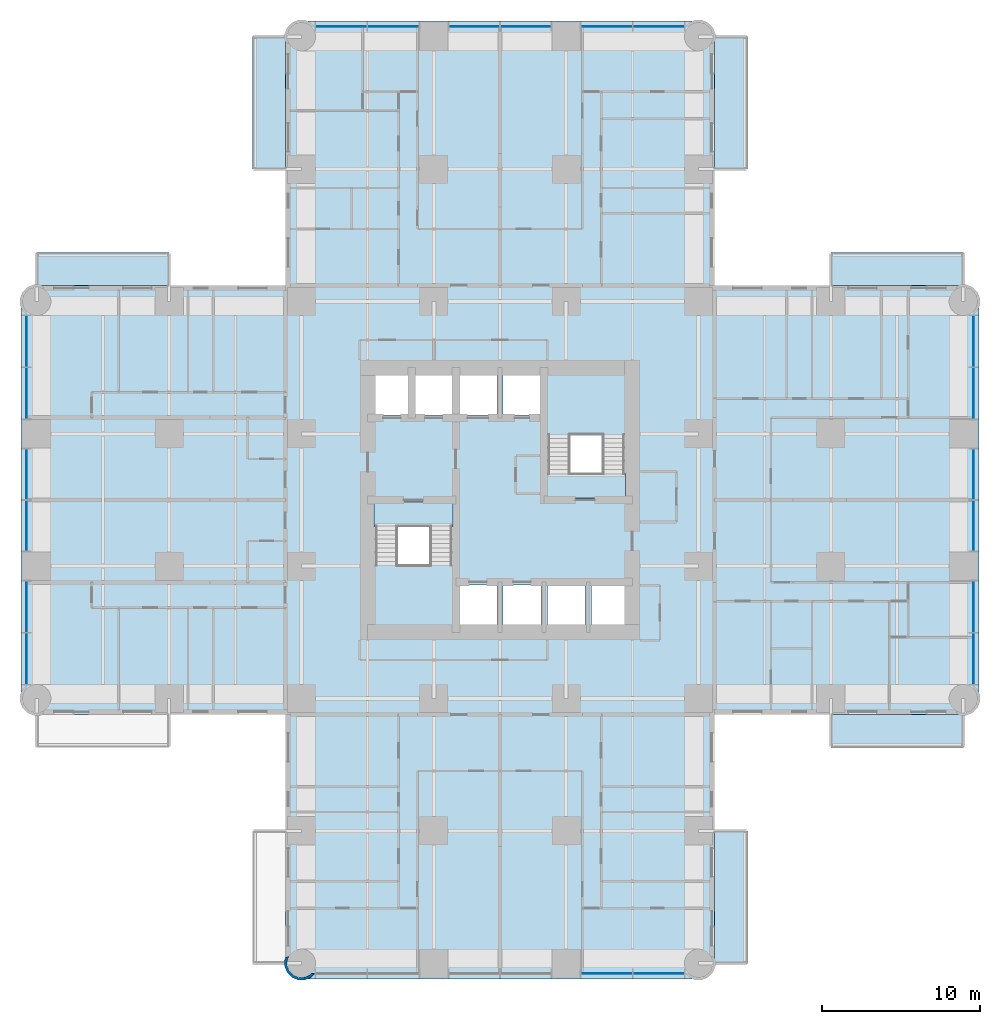
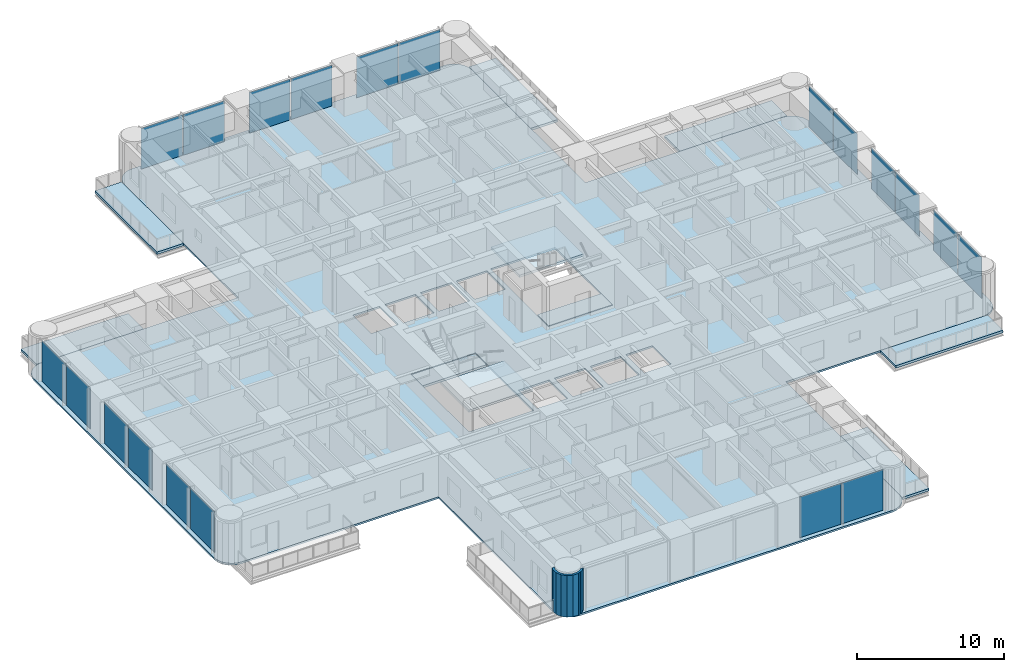
# One storey, part 6 of 17: 20 plates, 11 slabs, 1 wall, 6 elements without a shape of their own.
"""IFC4 building model written with IfcOpenShell, lengths in metres."""

from ifc_helpers import new_model, si_unit, direction, frame, origin, origin_2d, place, context, subcontext, project, spatial, polyline, rectangle, outline, extrude, material, layer, layer_set, type_object, element, aggregate, save


model = new_model("IFC4")

# Units and contexts
model_context = context("Model", 3, precision=1e-05, world=origin(), true_north=direction((0.0, 1.0)))
body_context = subcontext(model_context, "Body", "Model", "MODEL_VIEW")
ifc_project = project(units=[si_unit("LENGTHUNIT", "METRE"), si_unit("AREAUNIT", "SQUARE_METRE"), si_unit("VOLUMEUNIT", "CUBIC_METRE"), si_unit("PLANEANGLEUNIT", "RADIAN"), si_unit("MASSUNIT", "GRAM", prefix="KILO")], contexts=[model_context])

# Site, building, storey
site_placement = place(None, origin())
site = spatial("IfcSite", under=ifc_project, at=site_placement, CompositionType="ELEMENT")
building_placement = place(site_placement, origin())
building = spatial("IfcBuilding", under=site, at=building_placement, Name="Torre Alcanfor", CompositionType="ELEMENT")
storey_placement = place(building_placement, frame((0.0, 0.0, 81.300048828125)))
storey = spatial("IfcBuildingStorey", under=building, at=storey_placement, Name="L20", CompositionType="ELEMENT", Elevation=81.300048828125)

# Slabs
ifc_material_1 = material(Name="Concrete f'c 35 MPa", Category="concrete")
ifc_layer_1 = layer(ifc_material_1, 0.199951171875)
ifc_layer_set_1 = layer_set([ifc_layer_1], Name="Balcony slab 200")
slab_type_1 = type_object("IfcSlabType", Name="Balcony slab 200", PredefinedType="FLOOR", material=ifc_layer_set_1)
slab_1_placement = place(storey_placement, frame((0.0, 0.0, -0.199951171875)))
element("IfcSlab", 1, at=slab_1_placement, inside=storey, type_object=slab_type_1, Name="Balcony L20-N1", PredefinedType="FLOOR", context=body_context, shape_type="SweptSolid", body=[
    extrude(outline(polyline([(15.800048828125, 50.39990234375), (15.800048828125, 58.800048828125), (13.699951171875, 58.800048828125), (13.699951171875, 50.39990234375), (15.800048828125, 50.39990234375)])), origin(), (0.0, 0.0, 1.0), 0.199951171875),
])
slab_2_placement = place(storey_placement, frame((0.0, 0.0, -0.199951171875)))
element("IfcSlab", 2, at=slab_2_placement, inside=storey, type_object=slab_type_1, Name="Balcony L20-N2", PredefinedType="FLOOR", context=body_context, shape_type="SweptSolid", body=[
    extrude(outline(polyline([(45.10009765625, 50.39990234375), (45.10009765625, 58.800048828125), (43.0, 58.800048828125), (43.0, 50.39990234375), (45.10009765625, 50.39990234375)])), origin(), (0.0, 0.0, 1.0), 0.199951171875),
])
slab_3_placement = place(storey_placement, frame((0.0, 0.0, -0.199951171875)))
element("IfcSlab", 3, at=slab_3_placement, inside=storey, type_object=slab_type_1, Name="Balcony L20-E1", PredefinedType="FLOOR", context=body_context, shape_type="SweptSolid", body=[
    extrude(outline(polyline([(50.39990234375, 43.0), (58.800048828125, 43.0), (58.800048828125, 45.10009765625), (50.39990234375, 45.10009765625), (50.39990234375, 43.0)])), origin(), (0.0, 0.0, 1.0), 0.199951171875),
])
slab_4_placement = place(storey_placement, frame((0.0, 0.0, -0.199951171875)))
element("IfcSlab", 4, at=slab_4_placement, inside=storey, type_object=slab_type_1, Name="Balcony L20-E2", PredefinedType="FLOOR", context=body_context, shape_type="SweptSolid", body=[
    extrude(outline(polyline([(50.39990234375, 13.699951171875), (58.800048828125, 13.699951171875), (58.800048828125, 15.800048828125), (50.39990234375, 15.800048828125), (50.39990234375, 13.699951171875)])), origin(), (0.0, 0.0, 1.0), 0.199951171875),
])
slab_5_placement = place(storey_placement, frame((0.0, 0.0, -0.199951171875)))
element("IfcSlab", 5, at=slab_5_placement, inside=storey, type_object=slab_type_1, Name="Balcony L20-S1", PredefinedType="FLOOR", context=body_context, shape_type="SweptSolid", body=[
    extrude(outline(polyline([(43.0, 8.39990234375), (43.0, 0.0), (45.10009765625, 0.0), (45.10009765625, 8.39990234375), (43.0, 8.39990234375)])), origin(), (0.0, 0.0, 1.0), 0.199951171875),
])
slab_6_placement = place(storey_placement, frame((0.0, 0.0, -0.199951171875)))
element("IfcSlab", 6, at=slab_6_placement, inside=storey, type_object=slab_type_1, Name="Balcony L20-W2", PredefinedType="FLOOR", context=body_context, shape_type="SweptSolid", body=[
    extrude(outline(polyline([(8.39990234375, 45.10009765625), (0.0, 45.10009765625), (0.0, 43.0), (8.39990234375, 43.0), (8.39990234375, 45.10009765625)])), origin(), (0.0, 0.0, 1.0), 0.199951171875),
])

# Curtain wall, plates
ifc_material_2 = material(Name="Aluminium and glass", Category="aluminium")
curtain_wall_type = type_object("IfcCurtainWallType", Name="CW-A unitised apartment glazing with vertical FIN", PredefinedType="NOTDEFINED", material=ifc_material_2)
curtain_wall_1_placement = place(storey_placement, origin())
curtain_wall_1 = element("IfcCurtainWall", 7, at=curtain_wall_1_placement, inside=storey, type_object=curtain_wall_type, Name="Curtain wall CW-A L20 2", PredefinedType="NOTDEFINED")
ifc_material_3 = material(Name="Glass", Category="glass")
ifc_layer_2 = layer(ifc_material_3, 0.028076171875)
ifc_layer_set_2 = layer_set([ifc_layer_2], Name="CW-A clear double glazed unit")
plate_type = type_object("IfcPlateType", Name="CW-A clear double glazed unit", PredefinedType="CURTAIN_PANEL", material=ifc_layer_set_2)
plate_1_placement = place(storey_placement, frame((-0.64990234375, 39.484130859375, 0.0), z_axis=(0.0, 0.0, 1.0), x_axis=(0.0, -1.0, 0.0)))
plate_1 = element("IfcPlate", 8, at=plate_1_placement, type_object=plate_type, Name="CW-A panel 1.1.1", PredefinedType="CURTAIN_PANEL", context=body_context, shape_type="SweptSolid", body=[
    extrude(rectangle(XDim=3.232666015625, YDim=0.028076171875, at=origin_2d()), origin(), (0.0, 0.0, 1.0), 3.385009765625),
])
plate_2_placement = place(storey_placement, frame((-0.64990234375, 36.186279296875, 0.0), z_axis=(0.0, 0.0, 1.0), x_axis=(0.0, -1.0, 0.0)))
plate_2 = element("IfcPlate", 9, at=plate_2_placement, type_object=plate_type, Name="CW-A panel 1.2.1", PredefinedType="CURTAIN_PANEL", context=body_context, shape_type="SweptSolid", body=[
    extrude(rectangle(XDim=3.232666015625, YDim=0.028076171875, at=origin_2d()), origin(), (0.0, 0.0, 1.0), 3.385009765625),
])
plate_3_placement = place(storey_placement, frame((-0.64990234375, 31.03125, 0.0), z_axis=(0.0, 0.0, 1.0), x_axis=(0.0, -1.0, 0.0)))
plate_3 = element("IfcPlate", 10, at=plate_3_placement, type_object=plate_type, Name="CW-A panel 2.1.1", PredefinedType="CURTAIN_PANEL", context=body_context, shape_type="SweptSolid", body=[
    extrude(rectangle(XDim=3.197509765625, YDim=0.028076171875, at=origin_2d()), origin(), (0.0, 0.0, 1.0), 3.385009765625),
])
plate_4_placement = place(storey_placement, frame((-0.64990234375, 27.768798828125, 0.0), z_axis=(0.0, 0.0, 1.0), x_axis=(0.0, -1.0, 0.0)))
plate_4 = element("IfcPlate", 11, at=plate_4_placement, type_object=plate_type, Name="CW-A panel 2.2.1", PredefinedType="CURTAIN_PANEL", context=body_context, shape_type="SweptSolid", body=[
    extrude(rectangle(XDim=3.197509765625, YDim=0.028076171875, at=origin_2d()), origin(), (0.0, 0.0, 1.0), 3.385009765625),
])
plate_5_placement = place(storey_placement, frame((-0.64990234375, 22.613525390625, 0.0), z_axis=(0.0, 0.0, 1.0), x_axis=(0.0, -1.0, 0.0)))
plate_5 = element("IfcPlate", 12, at=plate_5_placement, type_object=plate_type, Name="CW-A panel 3.1.1", PredefinedType="CURTAIN_PANEL", context=body_context, shape_type="SweptSolid", body=[
    extrude(rectangle(XDim=3.232666015625, YDim=0.028076171875, at=origin_2d()), origin(), (0.0, 0.0, 1.0), 3.385009765625),
])
plate_6_placement = place(storey_placement, frame((-0.64990234375, 19.31591796875, 0.0), z_axis=(0.0, 0.0, 1.0), x_axis=(0.0, -1.0, 0.0)))
plate_6 = element("IfcPlate", 13, at=plate_6_placement, type_object=plate_type, Name="CW-A panel 3.2.1", PredefinedType="CURTAIN_PANEL", context=body_context, shape_type="SweptSolid", body=[
    extrude(rectangle(XDim=3.232666015625, YDim=0.028076171875, at=origin_2d()), origin(), (0.0, 0.0, 1.0), 3.385009765625),
])
aggregate(curtain_wall_1, [plate_1, plate_2, plate_3, plate_4, plate_5, plate_6])

curtain_wall_2_placement = place(storey_placement, origin())
curtain_wall_2 = element("IfcCurtainWall", 14, at=curtain_wall_2_placement, inside=storey, type_object=curtain_wall_type, Name="Curtain wall CW-A L20 5", PredefinedType="NOTDEFINED")
plate_7_placement = place(storey_placement, frame((36.186279296875, -0.64990234375, 0.0), z_axis=(0.0, 0.0, 1.0), x_axis=(1.0, 0.0, 0.0)))
plate_7 = element("IfcPlate", 15, at=plate_7_placement, type_object=plate_type, Name="CW-A panel 3.1.1", PredefinedType="CURTAIN_PANEL", context=body_context, shape_type="SweptSolid", body=[
    extrude(rectangle(XDim=3.232666015625, YDim=0.028076171875, at=origin_2d()), origin(), (0.0, 0.0, 1.0), 3.385009765625),
])
plate_8_placement = place(storey_placement, frame((39.484130859375, -0.64990234375, 0.0), z_axis=(0.0, 0.0, 1.0), x_axis=(1.0, 0.0, 0.0)))
plate_8 = element("IfcPlate", 16, at=plate_8_placement, type_object=plate_type, Name="CW-A panel 3.2.1", PredefinedType="CURTAIN_PANEL", context=body_context, shape_type="SweptSolid", body=[
    extrude(rectangle(XDim=3.232666015625, YDim=0.028076171875, at=origin_2d()), origin(), (0.0, 0.0, 1.0), 3.385009765625),
])
aggregate(curtain_wall_2, [plate_7, plate_8])

curtain_wall_3_placement = place(storey_placement, origin())
curtain_wall_3 = element("IfcCurtainWall", 17, at=curtain_wall_3_placement, inside=storey, type_object=curtain_wall_type, Name="Curtain wall CW-A L20 8", PredefinedType="NOTDEFINED")
plate_9_placement = place(storey_placement, frame((59.449951171875, 19.31591796875, 0.0), z_axis=(0.0, 0.0, 1.0), x_axis=(0.0, 1.0, 0.0)))
plate_9 = element("IfcPlate", 18, at=plate_9_placement, type_object=plate_type, Name="CW-A panel 1.1.1", PredefinedType="CURTAIN_PANEL", context=body_context, shape_type="SweptSolid", body=[
    extrude(rectangle(XDim=3.232666015625, YDim=0.028076171875, at=origin_2d()), origin(), (0.0, 0.0, 1.0), 3.385009765625),
])
plate_10_placement = place(storey_placement, frame((59.449951171875, 22.613525390625, 0.0), z_axis=(0.0, 0.0, 1.0), x_axis=(0.0, 1.0, 0.0)))
plate_10 = element("IfcPlate", 19, at=plate_10_placement, type_object=plate_type, Name="CW-A panel 1.2.1", PredefinedType="CURTAIN_PANEL", context=body_context, shape_type="SweptSolid", body=[
    extrude(rectangle(XDim=3.232666015625, YDim=0.028076171875, at=origin_2d()), origin(), (0.0, 0.0, 1.0), 3.385009765625),
])
plate_11_placement = place(storey_placement, frame((59.449951171875, 27.768798828125, 0.0), z_axis=(0.0, 0.0, 1.0), x_axis=(0.0, 1.0, 0.0)))
plate_11 = element("IfcPlate", 20, at=plate_11_placement, type_object=plate_type, Name="CW-A panel 2.1.1", PredefinedType="CURTAIN_PANEL", context=body_context, shape_type="SweptSolid", body=[
    extrude(rectangle(XDim=3.197509765625, YDim=0.028076171875, at=origin_2d()), origin(), (0.0, 0.0, 1.0), 3.385009765625),
])
plate_12_placement = place(storey_placement, frame((59.449951171875, 31.03125, 0.0), z_axis=(0.0, 0.0, 1.0), x_axis=(0.0, 1.0, 0.0)))
plate_12 = element("IfcPlate", 21, at=plate_12_placement, type_object=plate_type, Name="CW-A panel 2.2.1", PredefinedType="CURTAIN_PANEL", context=body_context, shape_type="SweptSolid", body=[
    extrude(rectangle(XDim=3.197509765625, YDim=0.028076171875, at=origin_2d()), origin(), (0.0, 0.0, 1.0), 3.385009765625),
])
plate_13_placement = place(storey_placement, frame((59.449951171875, 36.186279296875, 0.0), z_axis=(0.0, 0.0, 1.0), x_axis=(0.0, 1.0, 0.0)))
plate_13 = element("IfcPlate", 22, at=plate_13_placement, type_object=plate_type, Name="CW-A panel 3.1.1", PredefinedType="CURTAIN_PANEL", context=body_context, shape_type="SweptSolid", body=[
    extrude(rectangle(XDim=3.232666015625, YDim=0.028076171875, at=origin_2d()), origin(), (0.0, 0.0, 1.0), 3.385009765625),
])
plate_14_placement = place(storey_placement, frame((59.449951171875, 39.484130859375, 0.0), z_axis=(0.0, 0.0, 1.0), x_axis=(0.0, 1.0, 0.0)))
plate_14 = element("IfcPlate", 23, at=plate_14_placement, type_object=plate_type, Name="CW-A panel 3.2.1", PredefinedType="CURTAIN_PANEL", context=body_context, shape_type="SweptSolid", body=[
    extrude(rectangle(XDim=3.232666015625, YDim=0.028076171875, at=origin_2d()), origin(), (0.0, 0.0, 1.0), 3.385009765625),
])
aggregate(curtain_wall_3, [plate_9, plate_10, plate_11, plate_12, plate_13, plate_14])

curtain_wall_4_placement = place(storey_placement, origin())
curtain_wall_4 = element("IfcCurtainWall", 24, at=curtain_wall_4_placement, inside=storey, type_object=curtain_wall_type, Name="Curtain wall CW-A L20 11", PredefinedType="NOTDEFINED")
plate_15_placement = place(storey_placement, frame((39.484130859375, 59.449951171875, 0.0), z_axis=(0.0, 0.0, 1.0), x_axis=(-1.0, 0.0, 0.0)))
plate_15 = element("IfcPlate", 25, at=plate_15_placement, type_object=plate_type, Name="CW-A panel 1.1.1", PredefinedType="CURTAIN_PANEL", context=body_context, shape_type="SweptSolid", body=[
    extrude(rectangle(XDim=3.232666015625, YDim=0.028076171875, at=origin_2d()), origin(), (0.0, 0.0, 1.0), 3.385009765625),
])
plate_16_placement = place(storey_placement, frame((36.186279296875, 59.449951171875, 0.0), z_axis=(0.0, 0.0, 1.0), x_axis=(-1.0, 0.0, 0.0)))
plate_16 = element("IfcPlate", 26, at=plate_16_placement, type_object=plate_type, Name="CW-A panel 1.2.1", PredefinedType="CURTAIN_PANEL", context=body_context, shape_type="SweptSolid", body=[
    extrude(rectangle(XDim=3.232666015625, YDim=0.028076171875, at=origin_2d()), origin(), (0.0, 0.0, 1.0), 3.385009765625),
])
plate_17_placement = place(storey_placement, frame((31.03125, 59.449951171875, 0.0), z_axis=(0.0, 0.0, 1.0), x_axis=(-1.0, 0.0, 0.0)))
plate_17 = element("IfcPlate", 27, at=plate_17_placement, type_object=plate_type, Name="CW-A panel 2.1.1", PredefinedType="CURTAIN_PANEL", context=body_context, shape_type="SweptSolid", body=[
    extrude(rectangle(XDim=3.197509765625, YDim=0.028076171875, at=origin_2d()), origin(), (0.0, 0.0, 1.0), 3.385009765625),
])
plate_18_placement = place(storey_placement, frame((27.768798828125, 59.449951171875, 0.0), z_axis=(0.0, 0.0, 1.0), x_axis=(-1.0, 0.0, 0.0)))
plate_18 = element("IfcPlate", 28, at=plate_18_placement, type_object=plate_type, Name="CW-A panel 2.2.1", PredefinedType="CURTAIN_PANEL", context=body_context, shape_type="SweptSolid", body=[
    extrude(rectangle(XDim=3.197509765625, YDim=0.028076171875, at=origin_2d()), origin(), (0.0, 0.0, 1.0), 3.385009765625),
])
plate_19_placement = place(storey_placement, frame((22.613525390625, 59.449951171875, 0.0), z_axis=(0.0, 0.0, 1.0), x_axis=(-1.0, 0.0, 0.0)))
plate_19 = element("IfcPlate", 29, at=plate_19_placement, type_object=plate_type, Name="CW-A panel 3.1.1", PredefinedType="CURTAIN_PANEL", context=body_context, shape_type="SweptSolid", body=[
    extrude(rectangle(XDim=3.232666015625, YDim=0.028076171875, at=origin_2d()), origin(), (0.0, 0.0, 1.0), 3.385009765625),
])
plate_20_placement = place(storey_placement, frame((19.31591796875, 59.449951171875, 0.0), z_axis=(0.0, 0.0, 1.0), x_axis=(-1.0, 0.0, 0.0)))
plate_20 = element("IfcPlate", 30, at=plate_20_placement, type_object=plate_type, Name="CW-A panel 3.2.1", PredefinedType="CURTAIN_PANEL", context=body_context, shape_type="SweptSolid", body=[
    extrude(rectangle(XDim=3.232666015625, YDim=0.028076171875, at=origin_2d()), origin(), (0.0, 0.0, 1.0), 3.385009765625),
])
aggregate(curtain_wall_4, [plate_15, plate_16, plate_17, plate_18, plate_19, plate_20])

# Slab
ifc_material_4 = material(Name="Concrete f'c 35 MPa", Category="concrete")
ifc_layer_3 = layer(ifc_material_4, 0.14990234375)
ifc_layer_set_3 = layer_set([ifc_layer_3], Name="Composite floor 150 on metal deck")
slab_type_2 = type_object("IfcSlabType", Name="Composite floor 150 on metal deck", PredefinedType="FLOOR", material=ifc_layer_set_3)
slab_7_placement = place(storey_placement, frame((0.0, 0.0, -0.150146484375)))
element("IfcSlab", 31, at=slab_7_placement, inside=storey, type_object=slab_type_2, Name="Floor slab L20", PredefinedType="FLOOR", context=body_context, shape_type="SweptSolid", body=[
    extrude(outline(polyline([(15.800048828125, 43.0), (0.39990234375, 43.0), (0.03759765625, 42.952392578125), (-0.300048828125, 42.8125), (-0.58984375, 42.58984375), (-0.8125, 42.300048828125), (-0.952392578125, 41.96240234375), (-1.0, 41.60009765625), (-1.0, 17.199951171875), (-0.952392578125, 16.837646484375), (-0.8125, 16.5), (-0.58984375, 16.210205078125), (-0.300048828125, 15.987548828125), (0.03759765625, 15.84765625), (0.39990234375, 15.800048828125), (15.800048828125, 15.800048828125), (15.800048828125, 0.39990234375), (15.84765625, 0.03759765625), (15.987548828125, -0.300048828125), (16.210205078125, -0.58984375), (16.5, -0.8125), (16.837646484375, -0.952392578125), (17.199951171875, -1.0), (41.60009765625, -1.0), (41.96240234375, -0.952392578125), (42.300048828125, -0.8125), (42.58984375, -0.58984375), (42.8125, -0.300048828125), (42.952392578125, 0.03759765625), (43.0, 0.39990234375), (43.0, 15.800048828125), (58.39990234375, 15.800048828125), (58.76220703125, 15.84765625), (59.10009765625, 15.987548828125), (59.389892578125, 16.210205078125), (59.6123046875, 16.5), (59.752197265625, 16.837646484375), (59.800048828125, 17.199951171875), (59.800048828125, 41.60009765625), (59.752197265625, 41.96240234375), (59.6123046875, 42.300048828125), (59.389892578125, 42.58984375), (59.10009765625, 42.8125), (58.76220703125, 42.952392578125), (58.39990234375, 43.0), (43.0, 43.0), (43.0, 58.39990234375), (42.952392578125, 58.76220703125), (42.8125, 59.10009765625), (42.58984375, 59.389892578125), (42.300048828125, 59.6123046875), (41.96240234375, 59.752197265625), (41.60009765625, 59.800048828125), (17.199951171875, 59.800048828125), (16.837646484375, 59.752197265625), (16.5, 59.6123046875), (16.210205078125, 59.389892578125), (15.987548828125, 59.10009765625), (15.84765625, 58.76220703125), (15.800048828125, 58.39990234375), (15.800048828125, 43.0)]), holes=[polyline([(21.419921875, 21.419921875), (26.47998046875, 21.419921875), (26.47998046875, 29.280029296875), (21.419921875, 29.280029296875), (21.419921875, 21.419921875)]), polyline([(32.320068359375, 29.52001953125), (37.3798828125, 29.52001953125), (37.3798828125, 37.3798828125), (32.320068359375, 37.3798828125), (32.320068359375, 29.52001953125)]), polyline([(26.800048828125, 21.5), (29.199951171875, 21.5), (29.199951171875, 24.0), (26.800048828125, 24.0), (26.800048828125, 21.5)]), polyline([(29.60009765625, 21.5), (32.0, 21.5), (32.0, 24.0), (29.60009765625, 24.0), (29.60009765625, 21.5)]), polyline([(32.39990234375, 21.5), (34.800048828125, 21.5), (34.800048828125, 24.0), (32.39990234375, 24.0), (32.39990234375, 21.5)]), polyline([(35.199951171875, 21.5), (37.300048828125, 21.5), (37.300048828125, 24.0), (35.199951171875, 24.0), (35.199951171875, 21.5)]), polyline([(21.5, 34.800048828125), (23.60009765625, 34.800048828125), (23.60009765625, 37.300048828125), (21.5, 37.300048828125), (21.5, 34.800048828125)]), polyline([(24.0, 34.800048828125), (26.39990234375, 34.800048828125), (26.39990234375, 37.300048828125), (24.0, 37.300048828125), (24.0, 34.800048828125)]), polyline([(26.800048828125, 34.800048828125), (29.199951171875, 34.800048828125), (29.199951171875, 37.300048828125), (26.800048828125, 37.300048828125), (26.800048828125, 34.800048828125)]), polyline([(29.60009765625, 34.800048828125), (32.0, 34.800048828125), (32.0, 37.300048828125), (29.60009765625, 37.300048828125), (29.60009765625, 34.800048828125)])]), origin(), (0.0, 0.0, 1.0), 0.150146484375),
])

# Stair, slabs
ifc_material_5 = material(Name="Concrete f'c 35 MPa", Category="concrete")
stair_type_1 = type_object("IfcStairType", Name="Exit stair S1 1400 wide", PredefinedType="HALF_TURN_STAIR", material=ifc_material_5)
stair_1_placement = place(storey_placement, origin())
stair_1 = element("IfcStair", 32, at=stair_1_placement, inside=storey, type_object=stair_type_1, Name="Stair S1 L20 to L21", PredefinedType="HALF_TURN_STAIR")
ifc_material_6 = material(Name="Concrete f'c 35 MPa", Category="concrete")
ifc_layer_4 = layer(ifc_material_6, 0.199951171875)
ifc_layer_set_4 = layer_set([ifc_layer_4], Name="Stair landing 200")
slab_type_3 = type_object("IfcSlabType", Name="Stair landing 200", PredefinedType="LANDING", material=ifc_layer_set_4)
slab_8_placement = place(storey_placement, frame((0.0, 0.0, -0.199951171875)))
slab_8 = element("IfcSlab", 33, at=slab_8_placement, type_object=slab_type_3, Name="S1 landing 1", PredefinedType="LANDING", context=body_context, shape_type="SweptSolid", body=[
    extrude(outline(polyline([(21.419921875, 27.699951171875), (26.429931640625, 27.699951171875), (26.429931640625, 29.22998046875), (21.419921875, 29.22998046875), (21.419921875, 27.699951171875)])), origin(), (0.0, 0.0, 1.0), 0.199951171875),
])
slab_9_placement = place(storey_placement, frame((0.0, 0.0, 1.599853515625)))
slab_9 = element("IfcSlab", 34, at=slab_9_placement, type_object=slab_type_3, Name="S1 landing 2", PredefinedType="LANDING", context=body_context, shape_type="SweptSolid", body=[
    extrude(outline(polyline([(21.419921875, 21.419921875), (26.429931640625, 21.419921875), (26.429931640625, 25.280029296875), (21.419921875, 25.280029296875), (21.419921875, 21.419921875)])), origin(), (0.0, 0.0, 1.0), 0.2001953125),
])
aggregate(stair_1, [slab_8, slab_9])

ifc_material_7 = material(Name="Concrete f'c 35 MPa", Category="concrete")
stair_type_2 = type_object("IfcStairType", Name="Exit stair S2 1400 wide", PredefinedType="HALF_TURN_STAIR", material=ifc_material_7)
stair_2_placement = place(storey_placement, origin())
stair_2 = element("IfcStair", 35, at=stair_2_placement, inside=storey, type_object=stair_type_2, Name="Stair S2 L20 to L21", PredefinedType="HALF_TURN_STAIR")
slab_10_placement = place(storey_placement, frame((0.0, 0.0, -0.199951171875)))
slab_10 = element("IfcSlab", 36, at=slab_10_placement, type_object=slab_type_3, Name="S2 landing 1", PredefinedType="LANDING", context=body_context, shape_type="SweptSolid", body=[
    extrude(outline(polyline([(32.3701171875, 29.570068359375), (37.3798828125, 29.570068359375), (37.3798828125, 31.10009765625), (32.3701171875, 31.10009765625), (32.3701171875, 29.570068359375)])), origin(), (0.0, 0.0, 1.0), 0.199951171875),
])
slab_11_placement = place(storey_placement, frame((0.0, 0.0, 1.599853515625)))
slab_11 = element("IfcSlab", 37, at=slab_11_placement, type_object=slab_type_3, Name="S2 landing 2", PredefinedType="LANDING", context=body_context, shape_type="SweptSolid", body=[
    extrude(outline(polyline([(32.3701171875, 33.52001953125), (37.3798828125, 33.52001953125), (37.3798828125, 37.3798828125), (32.3701171875, 37.3798828125), (32.3701171875, 33.52001953125)])), origin(), (0.0, 0.0, 1.0), 0.2001953125),
])
aggregate(stair_2, [slab_10, slab_11])

# Wall
ifc_material_8 = material(Name="Limestone cladding", Category="masonry")
ifc_layer_5 = layer(ifc_material_8, 0.0400390625, Name="Facing")
ifc_material_9 = material(Name="Ventilated air cavity")
ifc_layer_6 = layer(ifc_material_9, 0.02001953125, ventilated=True, Name="Ventilated joint")
ifc_material_10 = material(Name="Mineral wool insulation", Category="insulation")
ifc_layer_7 = layer(ifc_material_10, 0.10009765625, Name="Insulation")
ifc_material_11 = material(Name="Concrete f'c 35 MPa", Category="concrete")
ifc_layer_8 = layer(ifc_material_11, 0.139892578125, Name="Backing")
ifc_layer_set_5 = layer_set([ifc_layer_5, ifc_layer_6, ifc_layer_7, ifc_layer_8], Name="Rounded corner pier stone-clad 300")
wall_type = type_object("IfcWallType", Name="Rounded corner pier stone-clad 300", PredefinedType="SOLIDWALL", material=ifc_layer_set_5)
wall_placement = place(storey_placement, frame((15.890092843, 0.363962863, 0.0), z_axis=(0.0, 0.0, 1.0), x_axis=(-0.377204953059, -0.926129809145, 0.0)))
element("IfcWall", 38, at=wall_placement, inside=storey, type_object=wall_type, Name="Corner pier L20 15", PredefinedType="SOLIDWALL", context=body_context, shape_type="SweptSolid", body=[
    extrude(outline(polyline([(0.36025406326845444, 1.8033251535395152), (0.5088520451897254, 1.7407402151136773), (0.7605729288027181, 1.4858036812916837), (0.8957625945963965, 1.1538802047718164), (0.8938847377533284, 0.7953914035812757), (0.7547773157275899, 0.46510295554213366), (0.4997067670481534, 0.21306387496571194), (0.16778329052828606, 0.07787420917203358), (-0.09994023900030424, 0.0795504548732244), (0.0006804239564057041, -0.09694899646014049), (0.029999294732247404, -0.08026261581225796), (0.19856690358048068, -0.0812004843578153), (0.5888257049928043, 0.07774867310804906), (0.8888185520201115, 0.37418200048294215), (1.0525847078153452, 0.7630186897929918), (1.0551554850896743, 1.184529802966568), (0.896114236570817, 1.5750147102893275), (0.7776681844062314, 1.6949582431572732), (0.7691216165340404, 1.727592391840862), (0.7502462480266835, 1.7228043636692119), (0.599680909195924, 1.8750075573166347), (0.2945300212676607, 2.0035278056043833), (0.2809636666415082, 1.9980023424248052), (0.36025406326845444, 1.8033251535395152)])), origin(), (0.0, 0.0, 1.0), 3.449951171875),
])

save(model, "model.ifc")
